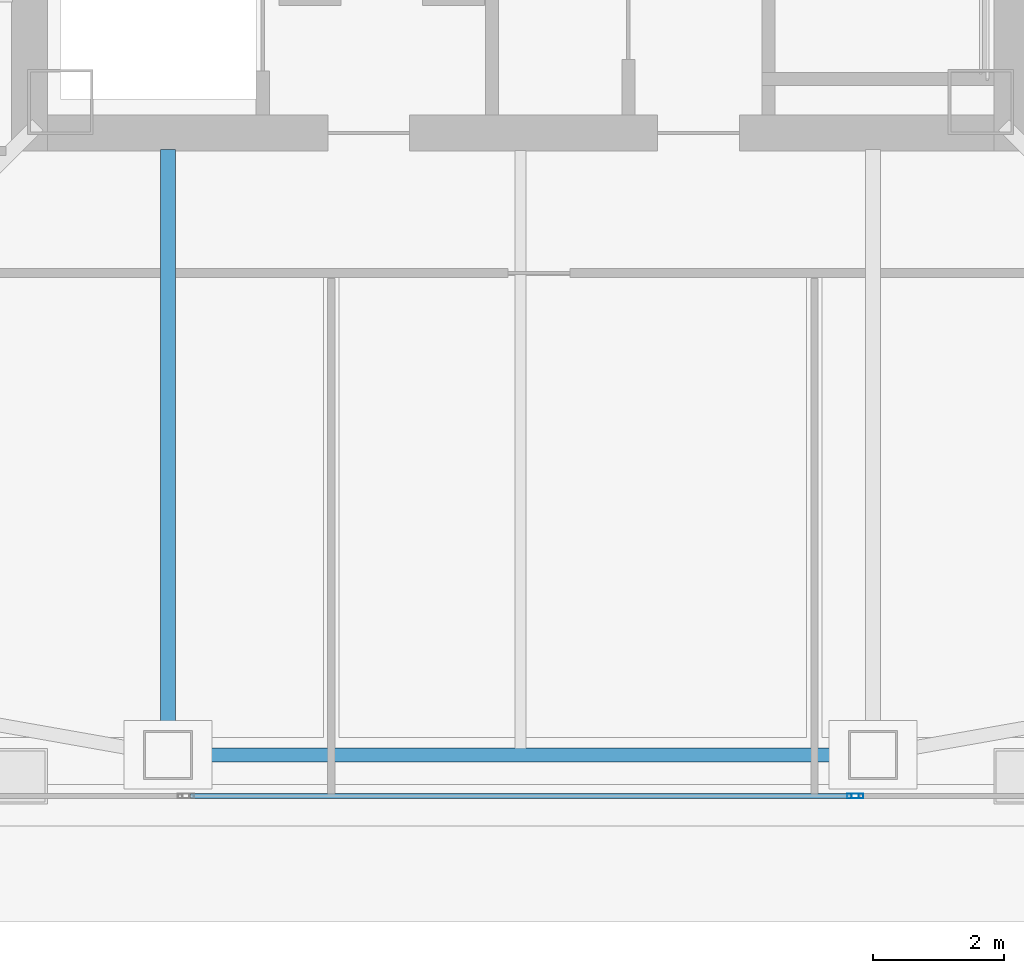
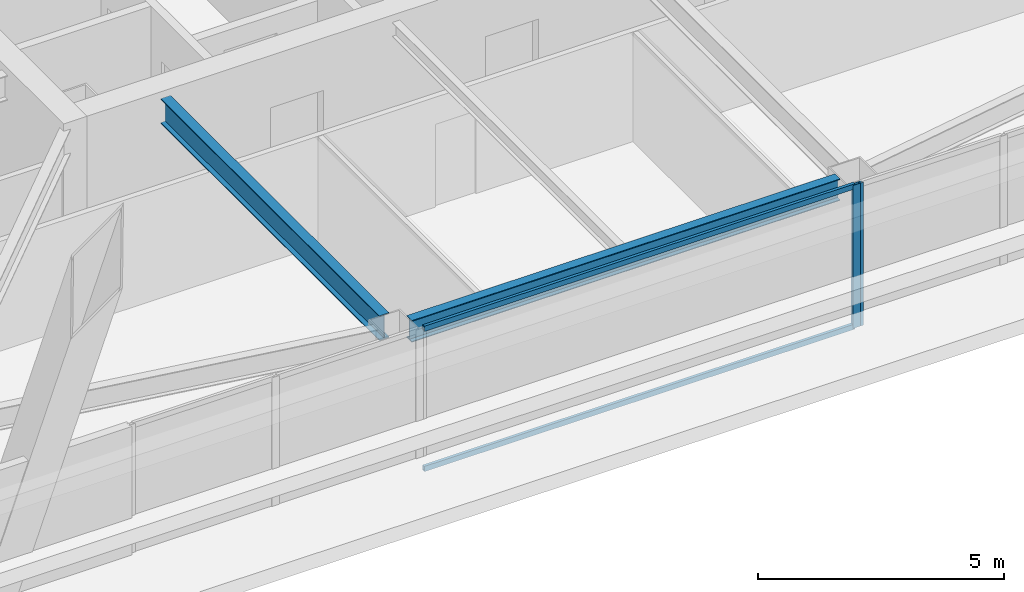
# One storey, part 8 of 65: 4 members, 2 beams, 2 elements without a shape of their own.
"""IFC4 building model written with IfcOpenShell, lengths in metres."""

from ifc_helpers import new_model, si_unit, direction, frame, origin, origin_2d, place, context, subcontext, project, spatial, hollow_rectangle, i_section, extrude, material, material_profile, profile_set, type_object, element, aggregate, save


model = new_model("IFC4")

# Units and contexts
model_context = context("Model", 3, precision=1e-05, world=origin(), true_north=direction((0.0, 1.0)))
body_context = subcontext(model_context, "Body", "Model", "MODEL_VIEW")
ifc_project = project(units=[si_unit("LENGTHUNIT", "METRE"), si_unit("AREAUNIT", "SQUARE_METRE"), si_unit("VOLUMEUNIT", "CUBIC_METRE"), si_unit("PLANEANGLEUNIT", "RADIAN"), si_unit("MASSUNIT", "GRAM", prefix="KILO")], contexts=[model_context])

# Site, building, storey
site_placement = place(None, origin())
site = spatial("IfcSite", under=ifc_project, at=site_placement, CompositionType="ELEMENT")
building_placement = place(site_placement, origin())
building = spatial("IfcBuilding", under=site, at=building_placement, Name="Tashvorn Skyway Center", CompositionType="ELEMENT")
storey_placement = place(building_placement, frame((0.0, 0.0, 157.0)))
storey = spatial("IfcBuildingStorey", under=building, at=storey_placement, Name="L42", CompositionType="ELEMENT", Elevation=157.0)

# Beams
ifc_material_1 = material(Name="Steel ASTM A992 Grade 50", Category="steel")
ifc_material_profile_1 = material_profile(ifc_material_1, i_section(OverallWidth=0.22998046875, OverallDepth=0.616943359375, WebThickness=0.01318359375, FlangeThickness=0.022216796875, at=origin_2d()), Name="W24X94")
ifc_profile_set_1 = profile_set([ifc_material_profile_1], Name="Steel ASTM A992 Grade 50")
beam_type_1 = type_object("IfcBeamType", Name="BM-BEAM-W24X94", PredefinedType="BEAM", material=ifc_profile_set_1)
beam_1_placement = place(storey_placement, frame((36.60009765625, 15.320068359375, 3.0615234375), z_axis=(0.0, 1.0, 0.0), x_axis=(-1.0, 0.0, 0.0)))
element("IfcBeam", 1, at=beam_1_placement, inside=storey, type_object=beam_type_1, Name="Tower 1 L42 Primary Floor Girder FC-S1", PredefinedType="BEAM", context=body_context, shape_type="SweptSolid", body=[
    extrude(i_section(OverallWidth=0.22998046875, OverallDepth=0.616943359375, WebThickness=0.01318359375, FlangeThickness=0.022216796875, at=origin_2d()), origin(), (0.0, 0.0, 1.0), 8.89990234375),
])
ifc_material_profile_2 = material_profile(ifc_material_1, i_section(OverallWidth=0.2109375, OverallDepth=0.5390625, WebThickness=0.01171875, FlangeThickness=0.018798828125, at=origin_2d()), Name="W21X73")
ifc_profile_set_2 = profile_set([ifc_material_profile_2], Name="Steel ASTM A992 Grade 50")
beam_type_2 = type_object("IfcBeamType", Name="BM-SPANDREL-W21X73", PredefinedType="SPANDREL", material=ifc_profile_set_2)
beam_2_placement = place(storey_placement, frame((36.969970703125, 14.949951171875, 3.1005859375), z_axis=(1.0, 0.0, 0.0), x_axis=(0.0, 1.0, 0.0)))
element("IfcBeam", 2, at=beam_2_placement, inside=storey, type_object=beam_type_2, Name="Tower 1 L42 Spandrel Beam 02", PredefinedType="SPANDREL", context=body_context, shape_type="SweptSolid", body=[
    extrude(i_section(OverallWidth=0.2109375, OverallDepth=0.5390625, WebThickness=0.01171875, FlangeThickness=0.018798828125, at=origin_2d()), origin(), (0.0, 0.0, 1.0), 10.06005859375),
])

# Curtain wall, member
ifc_material_2 = material(Name="Thermally broken bronze-anodized aluminium 6063-T6", Category="aluminium")
curtain_wall_type = type_object("IfcCurtainWallType", Name="CW-CW-Z4", PredefinedType="NOTDEFINED", material=ifc_material_2)
curtain_wall_1_placement = place(storey_placement, origin())
curtain_wall_1 = element("IfcCurtainWall", 3, at=curtain_wall_1_placement, inside=storey, type_object=curtain_wall_type, Name="Tower 1 L42 South Unitised Curtain Wall Glazing Group 1", PredefinedType="NOTDEFINED")
ifc_material_profile_3 = material_profile(ifc_material_2, hollow_rectangle(XDim=0.070068359375, YDim=0.179931640625, WallThickness=0.00390625, at=origin_2d()), Name="ALU-MULL-70x180")
ifc_profile_set_3 = profile_set([ifc_material_profile_3], Name="Thermally broken bronze-anodized aluminium 6063-T6")
member_type_1 = type_object("IfcMemberType", Name="CWM-CW-Z4", PredefinedType="MULLION", material=ifc_profile_set_3)
member_1_placement = place(storey_placement, frame((47.16162109375, 14.320068359375, 0.0), z_axis=(0.0, 0.0, 1.0), x_axis=(0.0, -1.0, 0.0)))
member_1 = element("IfcMember", 4, at=member_1_placement, type_object=member_type_1, Name="CW-Z4 mullion 3", PredefinedType="MULLION", context=body_context, shape_type="SweptSolid", body=[
    extrude(hollow_rectangle(XDim=0.070068359375, YDim=0.179931640625, WallThickness=0.00390625, at=origin_2d()), origin(), (0.0, 0.0, 1.0), 3.550048828125),
])
aggregate(curtain_wall_1, [member_1])

# Curtain wall, members
curtain_wall_2_placement = place(storey_placement, origin())
curtain_wall_2 = element("IfcCurtainWall", 5, at=curtain_wall_2_placement, inside=storey, type_object=curtain_wall_type, Name="Tower 1 L42 South Unitised Curtain Wall Glazing Group 2", PredefinedType="NOTDEFINED")
member_2_placement = place(storey_placement, frame((47.091796875, 14.320068359375, 0.0), z_axis=(0.0, 0.0, 1.0), x_axis=(0.0, -1.0, 0.0)))
member_2 = element("IfcMember", 6, at=member_2_placement, type_object=member_type_1, Name="CW-Z4 mullion 1", PredefinedType="MULLION", context=body_context, shape_type="SweptSolid", body=[
    extrude(hollow_rectangle(XDim=0.070068359375, YDim=0.179931640625, WallThickness=0.00390625, at=origin_2d()), origin(), (0.0, 0.0, 1.0), 3.550048828125),
])
ifc_material_profile_4 = material_profile(ifc_material_2, hollow_rectangle(XDim=0.070068359375, YDim=0.1298828125, WallThickness=0.00390625, at=origin_2d()), Name="ALU-TRAN-70x130")
ifc_profile_set_4 = profile_set([ifc_material_profile_4], Name="Thermally broken bronze-anodized aluminium 6063-T6")
member_type_2 = type_object("IfcMemberType", Name="CWT-CW-Z4", PredefinedType="USERDEFINED", material=ifc_profile_set_4)
member_3_placement = place(storey_placement, frame((47.056640625, 14.320068359375, 0.034912109375), z_axis=(-1.0, 0.0, 0.0), x_axis=(0.0, -1.0, 0.0)))
member_3 = element("IfcMember", 7, at=member_3_placement, type_object=member_type_2, Name="CW-Z4 transom 1.1", ObjectType="TRANSOM", PredefinedType="USERDEFINED", context=body_context, shape_type="SweptSolid", body=[
    extrude(hollow_rectangle(XDim=0.070068359375, YDim=0.1298828125, WallThickness=0.00390625, at=origin_2d()), origin(), (0.0, 0.0, 1.0), 10.11328125),
])
member_4_placement = place(storey_placement, frame((47.056640625, 14.320068359375, 3.514892578125), z_axis=(-1.0, 0.0, 0.0), x_axis=(0.0, -1.0, 0.0)))
member_4 = element("IfcMember", 8, at=member_4_placement, type_object=member_type_2, Name="CW-Z4 transom 1.2", ObjectType="TRANSOM", PredefinedType="USERDEFINED", context=body_context, shape_type="SweptSolid", body=[
    extrude(hollow_rectangle(XDim=0.070068359375, YDim=0.1298828125, WallThickness=0.00390625, at=origin_2d()), origin(), (0.0, 0.0, 1.0), 10.11328125),
])
aggregate(curtain_wall_2, [member_2, member_3, member_4])

save(model, "model.ifc")
